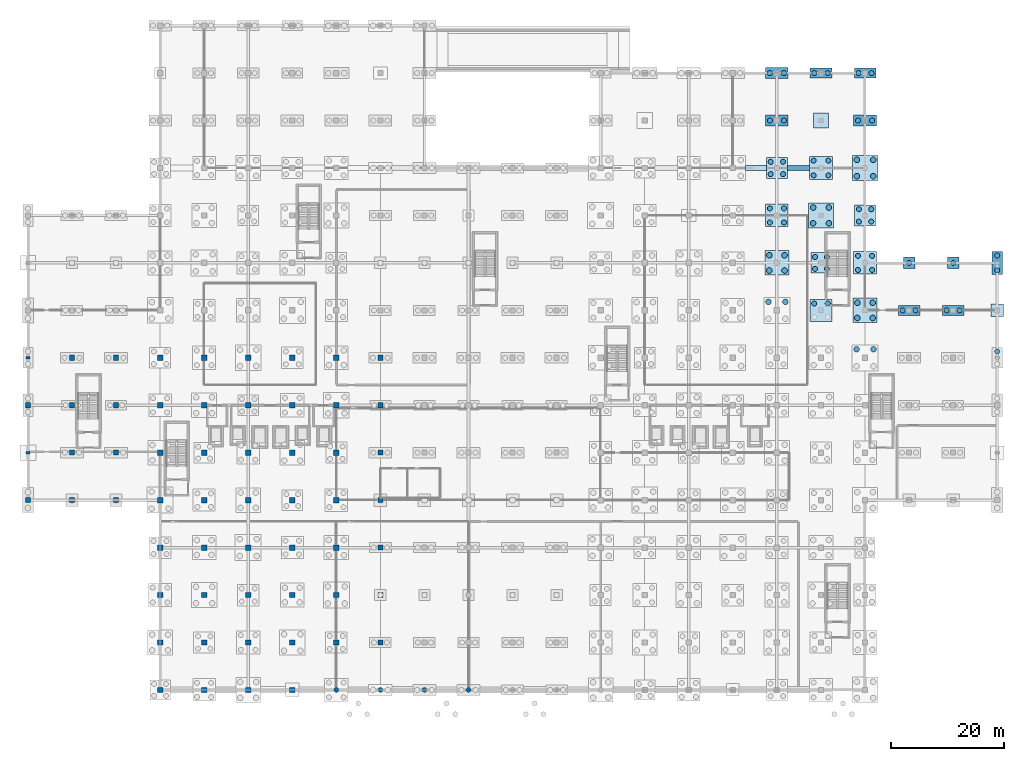
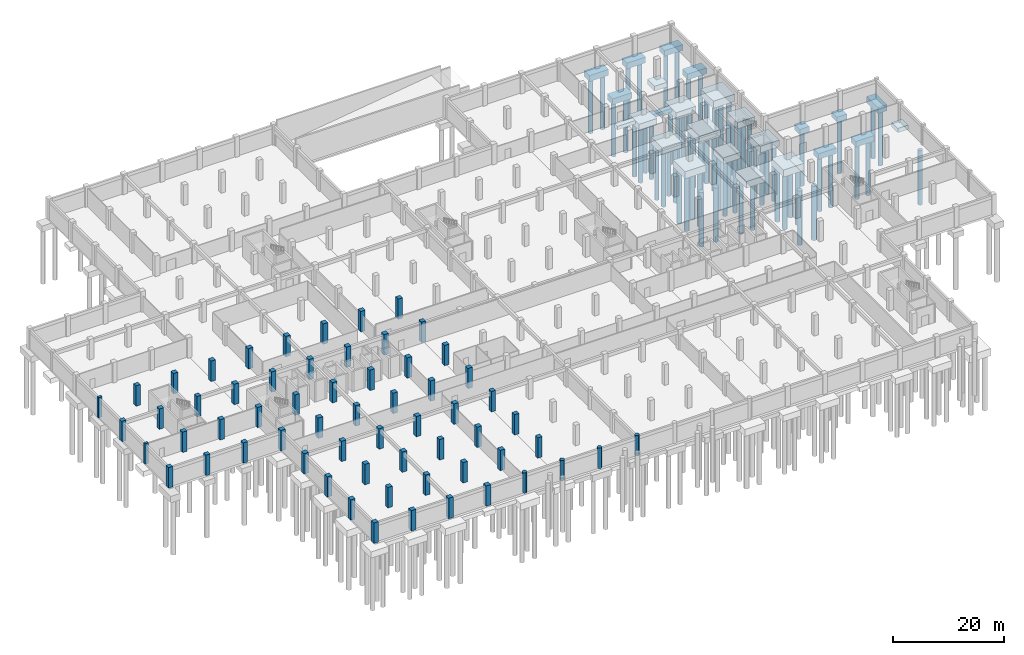
# One storey, part 8 of 30: 65 piles, 62 columns, 25 footings.
"""IFC4 building model written with IfcOpenShell, lengths in metres."""

from ifc_helpers import new_model, si_unit, direction, frame, origin, origin_2d, place, context, subcontext, project, spatial, rectangle, circle, extrude, material, layer, layer_set, material_profile, profile_set, type_object, element, save


model = new_model("IFC4")

# Units and contexts
model_context = context("Model", 3, precision=1e-05, world=origin(), true_north=direction((0.0, 1.0)))
body_context = subcontext(model_context, "Body", "Model", "MODEL_VIEW")
ifc_project = project(units=[si_unit("LENGTHUNIT", "METRE"), si_unit("AREAUNIT", "SQUARE_METRE"), si_unit("VOLUMEUNIT", "CUBIC_METRE"), si_unit("PLANEANGLEUNIT", "RADIAN"), si_unit("MASSUNIT", "GRAM", prefix="KILO"), si_unit("THERMODYNAMICTEMPERATUREUNIT", "KELVIN"), si_unit("POWERUNIT", "WATT")], contexts=[model_context])

# Site, building, storey
site_placement = place(None, origin())
site = spatial("IfcSite", under=ifc_project, at=site_placement, CompositionType="ELEMENT")
building_placement = place(site_placement, origin())
building = spatial("IfcBuilding", under=site, at=building_placement, Name="Srebrne Nadtorze General Hospital", CompositionType="ELEMENT")
storey_placement = place(building_placement, frame((0.0, 0.0, -4.5)))
storey = spatial("IfcBuildingStorey", under=building, at=storey_placement, Name="B1", CompositionType="ELEMENT", Elevation=-4.5)

# Piles
ifc_material_1 = material(Name="Concrete C35/45", Category="concrete")
ifc_material_profile_1 = material_profile(ifc_material_1, circle(Radius=0.5, at=origin_2d()), Name="PILE-D1000")
ifc_profile_set_1 = profile_set([ifc_material_profile_1], Name="Concrete C35/45")
pile_type_1 = type_object("IfcPileType", Name="Bored concrete pile D1000", PredefinedType="BORED", material=ifc_profile_set_1)
for number, where, z_axis, x_axis, name in (
    (1, (134.10009765625, 68.699951171875, -2.199951171875), (0.0, 0.0, -1.0), (1.0, 0.0, 0.0), "Bored pile PL-B1-0644"),
    (2, (131.10009765625, 68.699951171875, -2.199951171875), (0.0, 0.0, -1.0), (1.0, 0.0, 0.0), "Bored pile PL-B1-0645"),
    (3, (131.25, 74.25, -2.14990234375), (0.0, 0.0, -1.0), (1.0, 0.0, 0.0), "Bored pile PL-B1-0646"),
    (4, (133.949951171875, 74.25, -2.14990234375), (0.0, 0.0, -1.0), (1.0, 0.0, 0.0), "Bored pile PL-B1-0647"),
    (5, (133.949951171875, 76.949951171875, -2.14990234375), (0.0, 0.0, -1.0), (1.0, 0.0, 0.0), "Bored pile PL-B1-0648"),
    (6, (131.25, 76.949951171875, -2.14990234375), (0.0, 0.0, -1.0), (1.0, 0.0, 0.0), "Bored pile PL-B1-0649"),
    (7, (139.0, 82.60009765625, -2.14990234375), (0.0, 0.0, -1.0), (1.0, 0.0, 0.0), "Bored pile PL-B1-0702"),
    (8, (141.800048828125, 82.60009765625, -2.14990234375), (0.0, 0.0, -1.0), (1.0, 0.0, 0.0), "Bored pile PL-B1-0703"),
    (9, (141.800048828125, 85.39990234375, -2.14990234375), (0.0, 0.0, -1.0), (1.0, 0.0, 0.0), "Bored pile PL-B1-0704"),
    (10, (139.0, 85.39990234375, -2.14990234375), (0.0, 0.0, -1.0), (1.0, 0.0, 0.0), "Bored pile PL-B1-0705"),
    (11, (149.699951171875, 60.300048828125, -2.199951171875), (0.0, 0.0, -1.0), (1.0, 0.0, 0.0), "Bored pile PL-B1-0742"),
    (12, (146.699951171875, 60.300048828125, -2.199951171875), (0.0, 0.0, -1.0), (1.0, 0.0, 0.0), "Bored pile PL-B1-0743"),
    (13, (146.85009765625, 65.85009765625, -2.14990234375), (0.0, 0.0, -1.0), (1.0, 0.0, 0.0), "Bored pile PL-B1-0744"),
    (14, (149.550048828125, 65.85009765625, -2.14990234375), (0.0, 0.0, -1.0), (1.0, 0.0, 0.0), "Bored pile PL-B1-0745"),
    (15, (149.550048828125, 68.550048828125, -2.14990234375), (0.0, 0.0, -1.0), (1.0, 0.0, 0.0), "Bored pile PL-B1-0746"),
    (16, (146.85009765625, 68.550048828125, -2.14990234375), (0.0, 0.0, -1.0), (1.0, 0.0, 0.0), "Bored pile PL-B1-0747"),
    (17, (146.75, 90.949951171875, -2.199951171875), (0.0, 0.0, -1.0), (1.0, 0.0, 0.0), "Bored pile PL-B1-0756"),
    (18, (149.64990234375, 90.949951171875, -2.199951171875), (0.0, 0.0, -1.0), (1.0, 0.0, 0.0), "Bored pile PL-B1-0757"),
    (19, (149.64990234375, 93.85009765625, -2.199951171875), (0.0, 0.0, -1.0), (1.0, 0.0, 0.0), "Bored pile PL-B1-0758"),
    (20, (146.75, 93.85009765625, -2.199951171875), (0.0, 0.0, -1.0), (1.0, 0.0, 0.0), "Bored pile PL-B1-0759"),
):
    element("IfcPile", number, at=place(storey_placement, frame(where, z_axis=z_axis, x_axis=x_axis)), inside=storey, type_object=pile_type_1, Name=name, PredefinedType="BORED", context=body_context, shape_type="SweptSolid", body=[
        extrude(circle(Radius=0.5, at=origin_2d()), origin(), (0.0, 0.0, 1.0), 12.0),
    ])
ifc_material_2 = material(Name="Concrete C35/45", Category="concrete")
ifc_material_profile_2 = material_profile(ifc_material_2, circle(Radius=0.449951171875, at=origin_2d()), Name="PILE-D900")
ifc_profile_set_2 = profile_set([ifc_material_profile_2], Name="Concrete C35/45")
pile_type_2 = type_object("IfcPileType", Name="Bored concrete pile D900", PredefinedType="BORED", material=ifc_profile_set_2)
for number, where, z_axis, x_axis, name in (
    (21, (131.35009765625, 82.75, -2.050048828125), (0.0, 0.0, -1.0), (1.0, 0.0, 0.0), "Bored pile PL-B1-0650"),
    (22, (133.85009765625, 82.75, -2.050048828125), (0.0, 0.0, -1.0), (1.0, 0.0, 0.0), "Bored pile PL-B1-0651"),
    (23, (133.85009765625, 85.25, -2.050048828125), (0.0, 0.0, -1.0), (1.0, 0.0, 0.0), "Bored pile PL-B1-0652"),
    (24, (131.35009765625, 85.25, -2.050048828125), (0.0, 0.0, -1.0), (1.0, 0.0, 0.0), "Bored pile PL-B1-0653"),
    (25, (131.5, 91.300048828125, -2.0), (0.0, 0.0, -1.0), (1.0, 0.0, 0.0), "Bored pile PL-B1-0654"),
    (26, (133.699951171875, 91.300048828125, -2.0), (0.0, 0.0, -1.0), (1.0, 0.0, 0.0), "Bored pile PL-B1-0655"),
    (27, (133.699951171875, 93.5, -2.0), (0.0, 0.0, -1.0), (1.0, 0.0, 0.0), "Bored pile PL-B1-0656"),
    (28, (131.5, 93.5, -2.0), (0.0, 0.0, -1.0), (1.0, 0.0, 0.0), "Bored pile PL-B1-0657"),
    (29, (131.35009765625, 100.800048828125, -1.89990234375), (0.0, 0.0, -1.0), (1.0, 0.0, 0.0), "Bored pile PL-B1-0658"),
    (30, (133.85009765625, 100.800048828125, -1.89990234375), (0.0, 0.0, -1.0), (1.0, 0.0, 0.0), "Bored pile PL-B1-0659"),
    (31, (131.35009765625, 109.199951171875, -1.89990234375), (0.0, 0.0, -1.0), (1.0, 0.0, 0.0), "Bored pile PL-B1-0660"),
    (32, (133.85009765625, 109.199951171875, -1.89990234375), (0.0, 0.0, -1.0), (1.0, 0.0, 0.0), "Bored pile PL-B1-0661"),
    (33, (141.60009765625, 68.39990234375, -2.050048828125), (0.0, 0.0, -1.0), (1.0, 0.0, 0.0), "Bored pile PL-B1-0696"),
    (34, (139.199951171875, 68.39990234375, -2.050048828125), (0.0, 0.0, -1.0), (1.0, 0.0, 0.0), "Bored pile PL-B1-0697"),
    (35, (139.35009765625, 74.550048828125, -1.949951171875), (0.0, 0.0, -1.0), (1.0, 0.0, 0.0), "Bored pile PL-B1-0698"),
    (36, (141.449951171875, 74.550048828125, -1.949951171875), (0.0, 0.0, -1.0), (1.0, 0.0, 0.0), "Bored pile PL-B1-0699"),
    (37, (141.449951171875, 76.64990234375, -1.949951171875), (0.0, 0.0, -1.0), (1.0, 0.0, 0.0), "Bored pile PL-B1-0700"),
    (38, (139.35009765625, 76.64990234375, -1.949951171875), (0.0, 0.0, -1.0), (1.0, 0.0, 0.0), "Bored pile PL-B1-0701"),
    (39, (139.10009765625, 91.10009765625, -2.10009765625), (0.0, 0.0, -1.0), (1.0, 0.0, 0.0), "Bored pile PL-B1-0706"),
    (40, (141.699951171875, 91.10009765625, -2.10009765625), (0.0, 0.0, -1.0), (1.0, 0.0, 0.0), "Bored pile PL-B1-0707"),
    (41, (141.699951171875, 93.699951171875, -2.10009765625), (0.0, 0.0, -1.0), (1.0, 0.0, 0.0), "Bored pile PL-B1-0708"),
    (42, (139.10009765625, 93.699951171875, -2.10009765625), (0.0, 0.0, -1.0), (1.0, 0.0, 0.0), "Bored pile PL-B1-0709"),
    (43, (139.199951171875, 109.199951171875, -1.89990234375), (0.0, 0.0, -1.0), (1.0, 0.0, 0.0), "Bored pile PL-B1-0710"),
    (44, (141.60009765625, 109.199951171875, -1.89990234375), (0.0, 0.0, -1.0), (1.0, 0.0, 0.0), "Bored pile PL-B1-0711"),
    (45, (146.949951171875, 74.35009765625, -2.050048828125), (0.0, 0.0, -1.0), (1.0, 0.0, 0.0), "Bored pile PL-B1-0748"),
    (46, (149.449951171875, 74.35009765625, -2.050048828125), (0.0, 0.0, -1.0), (1.0, 0.0, 0.0), "Bored pile PL-B1-0749"),
    (47, (149.449951171875, 76.85009765625, -2.050048828125), (0.0, 0.0, -1.0), (1.0, 0.0, 0.0), "Bored pile PL-B1-0750"),
    (48, (146.949951171875, 76.85009765625, -2.050048828125), (0.0, 0.0, -1.0), (1.0, 0.0, 0.0), "Bored pile PL-B1-0751"),
    (49, (147.10009765625, 82.89990234375, -2.0), (0.0, 0.0, -1.0), (1.0, 0.0, 0.0), "Bored pile PL-B1-0752"),
    (50, (149.300048828125, 82.89990234375, -2.0), (0.0, 0.0, -1.0), (1.0, 0.0, 0.0), "Bored pile PL-B1-0753"),
    (51, (149.300048828125, 85.10009765625, -2.0), (0.0, 0.0, -1.0), (1.0, 0.0, 0.0), "Bored pile PL-B1-0754"),
    (52, (147.10009765625, 85.10009765625, -2.0), (0.0, 0.0, -1.0), (1.0, 0.0, 0.0), "Bored pile PL-B1-0755"),
    (53, (146.949951171875, 100.800048828125, -1.89990234375), (0.0, 0.0, -1.0), (1.0, 0.0, 0.0), "Bored pile PL-B1-0760"),
    (54, (149.449951171875, 100.800048828125, -1.89990234375), (0.0, 0.0, -1.0), (1.0, 0.0, 0.0), "Bored pile PL-B1-0761"),
    (55, (147.050048828125, 109.199951171875, -1.85009765625), (0.0, 0.0, -1.0), (1.0, 0.0, 0.0), "Bored pile PL-B1-0762"),
    (56, (149.35009765625, 109.199951171875, -1.85009765625), (0.0, 0.0, -1.0), (1.0, 0.0, 0.0), "Bored pile PL-B1-0763"),
    (57, (154.85009765625, 67.199951171875, -1.85009765625), (0.0, 0.0, -1.0), (1.0, 0.0, 0.0), "Bored pile PL-B1-0771"),
    (58, (157.14990234375, 67.199951171875, -1.85009765625), (0.0, 0.0, -1.0), (1.0, 0.0, 0.0), "Bored pile PL-B1-0772"),
    (59, (156.0, 75.60009765625, -1.75), (0.0, 0.0, -1.0), (1.0, 0.0, 0.0), "Bored pile PL-B1-0773"),
    (60, (162.64990234375, 67.199951171875, -1.85009765625), (0.0, 0.0, -1.0), (1.0, 0.0, 0.0), "Bored pile PL-B1-0781"),
    (61, (164.949951171875, 67.199951171875, -1.85009765625), (0.0, 0.0, -1.0), (1.0, 0.0, 0.0), "Bored pile PL-B1-0782"),
    (62, (163.800048828125, 75.60009765625, -1.75), (0.0, 0.0, -1.0), (1.0, 0.0, 0.0), "Bored pile PL-B1-0783"),
    (63, (171.60009765625, 59.89990234375, -1.85009765625), (0.0, 0.0, -1.0), (1.0, 0.0, 0.0), "Bored pile PL-B1-0789"),
    (64, (171.60009765625, 74.300048828125, -1.949951171875), (0.0, 0.0, -1.0), (1.0, 0.0, 0.0), "Bored pile PL-B1-0790"),
    (65, (171.60009765625, 76.89990234375, -1.949951171875), (0.0, 0.0, -1.0), (1.0, 0.0, 0.0), "Bored pile PL-B1-0791"),
):
    element("IfcPile", number, at=place(storey_placement, frame(where, z_axis=z_axis, x_axis=x_axis)), inside=storey, type_object=pile_type_2, Name=name, PredefinedType="BORED", context=body_context, shape_type="SweptSolid", body=[
        extrude(circle(Radius=0.449951171875, at=origin_2d()), origin(), (0.0, 0.0, 1.0), 12.0),
    ])

# Footings
ifc_material_3 = material(Name="Concrete C35/45", Category="concrete")
ifc_layer_1 = layer(ifc_material_3, 1.35009765625)
ifc_layer_set_1 = layer_set([ifc_layer_1], Name="Concrete C35/45")
footing_type_1 = type_object("IfcFootingType", Name="Bored pile cap 1900x4100x1350", PredefinedType="PILE_CAP", material=ifc_layer_set_1)
footing_1_placement = place(storey_placement, frame((171.60009765625, 75.60009765625, -1.949951171875), z_axis=(0.0, 0.0, 1.0), x_axis=(1.0, 0.0, 0.0)))
element("IfcFooting", 66, at=footing_1_placement, inside=storey, type_object=footing_type_1, Name="Pile cap FT-B1-23-K", PredefinedType="PILE_CAP", context=body_context, shape_type="SweptSolid", body=[
    extrude(rectangle(XDim=1.89990234375, YDim=4.10009765625, at=origin_2d()), origin(), (0.0, 0.0, 1.0), 1.35009765625),
])
ifc_material_4 = material(Name="Concrete C35/45", Category="concrete")
ifc_layer_2 = layer(ifc_material_4, 1.14990234375)
ifc_layer_set_2 = layer_set([ifc_layer_2], Name="Concrete C35/45")
footing_type_2 = type_object("IfcFootingType", Name="Bored pile cap 2000x2000x1150", PredefinedType="PILE_CAP", material=ifc_layer_set_2)
for number, where, z_axis, x_axis, name in (
    (67, (156.0, 75.60009765625, -1.75), (0.0, 0.0, 1.0), (1.0, 0.0, 0.0), "Pile cap FT-B1-21-K"),
    (68, (163.800048828125, 75.60009765625, -1.75), (0.0, 0.0, 1.0), (1.0, 0.0, 0.0), "Pile cap FT-B1-22-K"),
):
    element("IfcFooting", number, at=place(storey_placement, frame(where, z_axis=z_axis, x_axis=x_axis)), inside=storey, type_object=footing_type_2, Name=name, PredefinedType="PILE_CAP", context=body_context, shape_type="SweptSolid", body=[
        extrude(rectangle(XDim=2.0, YDim=2.0, at=origin_2d()), origin(), (0.0, 0.0, 1.0), 1.14990234375),
    ])
ifc_material_5 = material(Name="Concrete C35/45", Category="concrete")
ifc_layer_3 = layer(ifc_material_5, 1.35009765625)
ifc_layer_set_3 = layer_set([ifc_layer_3], Name="Concrete C35/45")
footing_type_3 = type_object("IfcFootingType", Name="Bored pile cap 3600x3600x1350", PredefinedType="PILE_CAP", material=ifc_layer_set_3)
footing_2_placement = place(storey_placement, frame((140.39990234375, 75.60009765625, -1.949951171875), z_axis=(0.0, 0.0, 1.0), x_axis=(1.0, 0.0, 0.0)))
element("IfcFooting", 69, at=footing_2_placement, inside=storey, type_object=footing_type_3, Name="Pile cap FT-B1-19-K", PredefinedType="PILE_CAP", context=body_context, shape_type="SweptSolid", body=[
    extrude(rectangle(XDim=3.60009765625, YDim=3.60009765625, at=origin_2d()), origin(), (0.0, 0.0, 1.0), 1.35009765625),
])
ifc_material_6 = material(Name="Concrete C35/45", Category="concrete")
ifc_layer_4 = layer(ifc_material_6, 1.39990234375)
ifc_layer_set_4 = layer_set([ifc_layer_4], Name="Concrete C35/45")
footing_type_4 = type_object("IfcFootingType", Name="Bored pile cap 3700x3700x1400", PredefinedType="PILE_CAP", material=ifc_layer_set_4)
for number, where, z_axis, x_axis, name in (
    (70, (132.60009765625, 92.39990234375, -2.0), (0.0, 0.0, 1.0), (1.0, 0.0, 0.0), "Pile cap FT-B1-18-M"),
    (71, (148.199951171875, 84.0, -2.0), (0.0, 0.0, 1.0), (1.0, 0.0, 0.0), "Pile cap FT-B1-20-L"),
):
    element("IfcFooting", number, at=place(storey_placement, frame(where, z_axis=z_axis, x_axis=x_axis)), inside=storey, type_object=footing_type_4, Name=name, PredefinedType="PILE_CAP", context=body_context, shape_type="SweptSolid", body=[
        extrude(rectangle(XDim=3.699951171875, YDim=3.699951171875, at=origin_2d()), origin(), (0.0, 0.0, 1.0), 1.39990234375),
    ])
ifc_material_7 = material(Name="Concrete C35/45", Category="concrete")
ifc_layer_5 = layer(ifc_material_7, 1.25)
ifc_layer_set_5 = layer_set([ifc_layer_5], Name="Concrete C35/45")
footing_type_5 = type_object("IfcFootingType", Name="Bored pile cap 3800x1800x1250", PredefinedType="PILE_CAP", material=ifc_layer_set_5)
for number, where, z_axis, x_axis, name in (
    (72, (148.199951171875, 109.199951171875, -1.85009765625), (0.0, 0.0, 1.0), (1.0, 0.0, 0.0), "Pile cap FT-B1-20-P"),
    (73, (156.0, 67.199951171875, -1.85009765625), (0.0, 0.0, 1.0), (1.0, 0.0, 0.0), "Pile cap FT-B1-21-J"),
    (74, (163.800048828125, 67.199951171875, -1.85009765625), (0.0, 0.0, 1.0), (1.0, 0.0, 0.0), "Pile cap FT-B1-22-J"),
):
    element("IfcFooting", number, at=place(storey_placement, frame(where, z_axis=z_axis, x_axis=x_axis)), inside=storey, type_object=footing_type_5, Name=name, PredefinedType="PILE_CAP", context=body_context, shape_type="SweptSolid", body=[
        extrude(rectangle(XDim=3.800048828125, YDim=1.800048828125, at=origin_2d()), origin(), (0.0, 0.0, 1.0), 1.25),
    ])
ifc_material_8 = material(Name="Concrete C35/45", Category="concrete")
ifc_layer_6 = layer(ifc_material_8, 1.300048828125)
ifc_layer_set_6 = layer_set([ifc_layer_6], Name="Concrete C35/45")
footing_type_6 = type_object("IfcFootingType", Name="Bored pile cap 3900x1800x1300", PredefinedType="PILE_CAP", material=ifc_layer_set_6)
footing_3_placement = place(storey_placement, frame((140.39990234375, 109.199951171875, -1.89990234375), z_axis=(0.0, 0.0, 1.0), x_axis=(1.0, 0.0, 0.0)))
element("IfcFooting", 75, at=footing_3_placement, inside=storey, type_object=footing_type_6, Name="Pile cap FT-B1-19-P", PredefinedType="PILE_CAP", context=body_context, shape_type="SweptSolid", body=[
    extrude(rectangle(XDim=3.89990234375, YDim=1.800048828125, at=origin_2d()), origin(), (0.0, 0.0, 1.0), 1.300048828125),
])
ifc_material_9 = material(Name="Concrete C35/45", Category="concrete")
ifc_layer_7 = layer(ifc_material_9, 1.449951171875)
ifc_layer_set_7 = layer_set([ifc_layer_7], Name="Concrete C35/45")
footing_type_7 = type_object("IfcFootingType", Name="Bored pile cap 3900x3900x1450", PredefinedType="PILE_CAP", material=ifc_layer_set_7)
footing_4_placement = place(storey_placement, frame((140.39990234375, 67.199951171875, -2.0498046875), z_axis=(0.0, 0.0, 1.0), x_axis=(1.0, 0.0, 0.0)))
element("IfcFooting", 76, at=footing_4_placement, inside=storey, type_object=footing_type_7, Name="Pile cap FT-B1-19-J", PredefinedType="PILE_CAP", context=body_context, shape_type="SweptSolid", body=[
    extrude(rectangle(XDim=3.89990234375, YDim=3.89990234375, at=origin_2d()), origin(), (0.0, 0.0, 1.0), 1.449951171875),
])
ifc_material_10 = material(Name="Concrete C35/45", Category="concrete")
ifc_layer_8 = layer(ifc_material_10, 1.300048828125)
ifc_layer_set_8 = layer_set([ifc_layer_8], Name="Concrete C35/45")
footing_type_8 = type_object("IfcFootingType", Name="Bored pile cap 4000x1900x1300", PredefinedType="PILE_CAP", material=ifc_layer_set_8)
for number, where, z_axis, x_axis, name in (
    (77, (132.60009765625, 100.800048828125, -1.89990234375), (0.0, 0.0, 1.0), (1.0, 0.0, 0.0), "Pile cap FT-B1-18-N"),
    (78, (132.60009765625, 109.199951171875, -1.89990234375), (0.0, 0.0, 1.0), (1.0, 0.0, 0.0), "Pile cap FT-B1-18-P"),
    (79, (148.199951171875, 100.800048828125, -1.89990234375), (0.0, 0.0, 1.0), (1.0, 0.0, 0.0), "Pile cap FT-B1-20-N"),
):
    element("IfcFooting", number, at=place(storey_placement, frame(where, z_axis=z_axis, x_axis=x_axis)), inside=storey, type_object=footing_type_8, Name=name, PredefinedType="PILE_CAP", context=body_context, shape_type="SweptSolid", body=[
        extrude(rectangle(XDim=4.0, YDim=1.89990234375, at=origin_2d()), origin(), (0.0, 0.0, 1.0), 1.300048828125),
    ])
ifc_material_11 = material(Name="Concrete C35/45", Category="concrete")
ifc_layer_9 = layer(ifc_material_11, 1.449951171875)
ifc_layer_set_9 = layer_set([ifc_layer_9], Name="Concrete C35/45")
footing_type_9 = type_object("IfcFootingType", Name="Bored pile cap 4000x4000x1450", PredefinedType="PILE_CAP", material=ifc_layer_set_9)
for number, where, z_axis, x_axis, name in (
    (80, (132.60009765625, 84.0, -2.0498046875), (0.0, 0.0, 1.0), (1.0, 0.0, 0.0), "Pile cap FT-B1-18-L"),
    (81, (148.199951171875, 75.60009765625, -2.0498046875), (0.0, 0.0, 1.0), (1.0, 0.0, 0.0), "Pile cap FT-B1-20-K"),
):
    element("IfcFooting", number, at=place(storey_placement, frame(where, z_axis=z_axis, x_axis=x_axis)), inside=storey, type_object=footing_type_9, Name=name, PredefinedType="PILE_CAP", context=body_context, shape_type="SweptSolid", body=[
        extrude(rectangle(XDim=4.0, YDim=4.0, at=origin_2d()), origin(), (0.0, 0.0, 1.0), 1.449951171875),
    ])
ifc_material_12 = material(Name="Concrete C35/45", Category="concrete")
ifc_layer_10 = layer(ifc_material_12, 1.5)
ifc_layer_set_10 = layer_set([ifc_layer_10], Name="Concrete C35/45")
footing_type_10 = type_object("IfcFootingType", Name="Bored pile cap 4100x4100x1500", PredefinedType="PILE_CAP", material=ifc_layer_set_10)
footing_5_placement = place(storey_placement, frame((140.39990234375, 92.39990234375, -2.10009765625), z_axis=(0.0, 0.0, 1.0), x_axis=(1.0, 0.0, 0.0)))
element("IfcFooting", 82, at=footing_5_placement, inside=storey, type_object=footing_type_10, Name="Pile cap FT-B1-19-M", PredefinedType="PILE_CAP", context=body_context, shape_type="SweptSolid", body=[
    extrude(rectangle(XDim=4.10009765625, YDim=4.10009765625, at=origin_2d()), origin(), (0.0, 0.0, 1.0), 1.5),
])
ifc_material_13 = material(Name="Concrete C35/45", Category="concrete")
ifc_layer_11 = layer(ifc_material_13, 1.550048828125)
ifc_layer_set_11 = layer_set([ifc_layer_11], Name="Concrete C35/45")
footing_type_11 = type_object("IfcFootingType", Name="Bored pile cap 4300x4300x1550", PredefinedType="PILE_CAP", material=ifc_layer_set_11)
for number, where, z_axis, x_axis, name in (
    (83, (132.60009765625, 75.60009765625, -2.14990234375), (0.0, 0.0, 1.0), (1.0, 0.0, 0.0), "Pile cap FT-B1-18-K"),
    (84, (148.199951171875, 67.199951171875, -2.14990234375), (0.0, 0.0, 1.0), (1.0, 0.0, 0.0), "Pile cap FT-B1-20-J"),
):
    element("IfcFooting", number, at=place(storey_placement, frame(where, z_axis=z_axis, x_axis=x_axis)), inside=storey, type_object=footing_type_11, Name=name, PredefinedType="PILE_CAP", context=body_context, shape_type="SweptSolid", body=[
        extrude(rectangle(XDim=4.300048828125, YDim=4.300048828125, at=origin_2d()), origin(), (0.0, 0.0, 1.0), 1.550048828125),
    ])
ifc_material_14 = material(Name="Concrete C35/45", Category="concrete")
ifc_layer_12 = layer(ifc_material_14, 1.550048828125)
ifc_layer_set_12 = layer_set([ifc_layer_12], Name="Concrete C35/45")
footing_type_12 = type_object("IfcFootingType", Name="Bored pile cap 4400x4400x1550", PredefinedType="PILE_CAP", material=ifc_layer_set_12)
footing_6_placement = place(storey_placement, frame((140.39990234375, 84.0, -2.14990234375), z_axis=(0.0, 0.0, 1.0), x_axis=(1.0, 0.0, 0.0)))
element("IfcFooting", 85, at=footing_6_placement, inside=storey, type_object=footing_type_12, Name="Pile cap FT-B1-19-L", PredefinedType="PILE_CAP", context=body_context, shape_type="SweptSolid", body=[
    extrude(rectangle(XDim=4.39990234375, YDim=4.39990234375, at=origin_2d()), origin(), (0.0, 0.0, 1.0), 1.550048828125),
])
ifc_material_15 = material(Name="Concrete C35/45", Category="concrete")
ifc_layer_13 = layer(ifc_material_15, 1.60009765625)
ifc_layer_set_13 = layer_set([ifc_layer_13], Name="Concrete C35/45")
footing_type_13 = type_object("IfcFootingType", Name="Bored pile cap 4500x4500x1600", PredefinedType="PILE_CAP", material=ifc_layer_set_13)
footing_7_placement = place(storey_placement, frame((148.199951171875, 92.39990234375, -2.199951171875), z_axis=(0.0, 0.0, 1.0), x_axis=(1.0, 0.0, 0.0)))
element("IfcFooting", 86, at=footing_7_placement, inside=storey, type_object=footing_type_13, Name="Pile cap FT-B1-20-M", PredefinedType="PILE_CAP", context=body_context, shape_type="SweptSolid", body=[
    extrude(rectangle(XDim=4.5, YDim=4.5, at=origin_2d()), origin(), (0.0, 0.0, 1.0), 1.60009765625),
])
ifc_material_16 = material(Name="Concrete C35/45", Category="concrete")
ifc_layer_14 = layer(ifc_material_16, 0.949951171875)
ifc_layer_set_14 = layer_set([ifc_layer_14], Name="Concrete C35/45")
footing_type_14 = type_object("IfcFootingType", Name="Isolated pad footing 2200x2200x950", PredefinedType="PAD_FOOTING", material=ifc_layer_set_14)
footing_8_placement = place(storey_placement, frame((171.60009765625, 67.199951171875, -1.5498046875), z_axis=(0.0, 0.0, 1.0), x_axis=(1.0, 0.0, 0.0)))
element("IfcFooting", 87, at=footing_8_placement, inside=storey, type_object=footing_type_14, Name="Pad footing FT-B1-23-J", PredefinedType="PAD_FOOTING", context=body_context, shape_type="SweptSolid", body=[
    extrude(rectangle(XDim=2.199951171875, YDim=2.199951171875, at=origin_2d()), origin(), (0.0, 0.0, 1.0), 0.949951171875),
])
ifc_material_17 = material(Name="Concrete C35/45", Category="concrete")
ifc_layer_15 = layer(ifc_material_17, 1.050048828125)
ifc_layer_set_15 = layer_set([ifc_layer_15], Name="Concrete C35/45")
footing_type_15 = type_object("IfcFootingType", Name="Isolated pad footing 2600x2600x1050", PredefinedType="PAD_FOOTING", material=ifc_layer_set_15)
footing_9_placement = place(storey_placement, frame((140.39990234375, 100.800048828125, -1.64990234375), z_axis=(0.0, 0.0, 1.0), x_axis=(1.0, 0.0, 0.0)))
element("IfcFooting", 88, at=footing_9_placement, inside=storey, type_object=footing_type_15, Name="Pad footing FT-B1-19-N", PredefinedType="PAD_FOOTING", context=body_context, shape_type="SweptSolid", body=[
    extrude(rectangle(XDim=2.60009765625, YDim=2.60009765625, at=origin_2d()), origin(), (0.0, 0.0, 1.0), 1.050048828125),
])
ifc_material_18 = material(Name="Concrete C35/45", Category="concrete")
ifc_layer_16 = layer(ifc_material_18, 0.75)
ifc_layer_set_16 = layer_set([ifc_layer_16], Name="Concrete C35/45")
footing_type_16 = type_object("IfcFootingType", Name="Wall strip footing 900x750", PredefinedType="STRIP_FOOTING", material=ifc_layer_set_16)
footing_10_placement = place(storey_placement, frame((136.39990234375, 92.39990234375, -1.35009765625), z_axis=(0.0, 0.0, 1.0), x_axis=(1.0, 0.0, 0.0)))
element("IfcFooting", 89, at=footing_10_placement, inside=storey, type_object=footing_type_16, Name="Wall strip footing SF-B1-30", PredefinedType="STRIP_FOOTING", context=body_context, shape_type="SweptSolid", body=[
    extrude(rectangle(XDim=3.89990234375, YDim=0.89990234375, at=origin_2d()), origin(), (0.0, 0.0, 1.0), 0.75),
])
ifc_material_19 = material(Name="Concrete C35/45", Category="concrete")
ifc_layer_17 = layer(ifc_material_19, 0.75)
ifc_layer_set_17 = layer_set([ifc_layer_17], Name="Concrete C35/45")
footing_type_17 = type_object("IfcFootingType", Name="Wall strip footing 950x750", PredefinedType="STRIP_FOOTING", material=ifc_layer_set_17)
footing_11_placement = place(storey_placement, frame((128.875, 92.39990234375, -1.35009765625), z_axis=(0.0, 0.0, 1.0), x_axis=(1.0, 0.0, 0.0)))
element("IfcFooting", 90, at=footing_11_placement, inside=storey, type_object=footing_type_17, Name="Wall strip footing SF-B1-28", PredefinedType="STRIP_FOOTING", context=body_context, shape_type="SweptSolid", body=[
    extrude(rectangle(XDim=3.75, YDim=0.949951171875, at=origin_2d()), origin(), (0.0, 0.0, 1.0), 0.75),
])

# Columns
ifc_material_20 = material(Name="Concrete C40/50", Category="concrete")
ifc_material_profile_3 = material_profile(ifc_material_20, rectangle(XDim=0.5, YDim=0.75, at=origin_2d()), Name="RC-PIL-500x750")
ifc_profile_set_3 = profile_set([ifc_material_profile_3], Name="Concrete C40/50")
column_type_1 = type_object("IfcColumnType", Name="Pilaster column 500x750", PredefinedType="PILASTER", material=ifc_profile_set_3)
for number, where, z_axis, x_axis, name in (
    (91, (0.0, 42.0, 0.0), (0.0, 0.0, 1.0), (0.0, 1.0, 0.0), "Column CL-B1-1-F"),
    (92, (0.0, 58.800048828125, 0.0), (0.0, 0.0, 1.0), (0.0, 1.0, 0.0), "Column CL-B1-1-H"),
):
    element("IfcColumn", number, at=place(storey_placement, frame(where, z_axis=z_axis, x_axis=x_axis)), inside=storey, type_object=column_type_1, Name=name, PredefinedType="PILASTER", context=body_context, shape_type="SweptSolid", body=[
        extrude(rectangle(XDim=0.5, YDim=0.75, at=origin_2d()), origin(), (0.0, 0.0, 1.0), 4.5),
    ])
ifc_material_21 = material(Name="Concrete C40/50", Category="concrete")
ifc_material_profile_4 = material_profile(ifc_material_21, rectangle(XDim=0.89990234375, YDim=0.89990234375, at=origin_2d()), Name="RC-COL-900x900")
ifc_profile_set_4 = profile_set([ifc_material_profile_4], Name="Concrete C40/50")
column_type_2 = type_object("IfcColumnType", Name="Reinforced concrete column 900x900", PredefinedType="COLUMN", material=ifc_profile_set_4)
for number, where, z_axis, x_axis, name in (
    (93, (0.0, 33.60009765625, 0.0), (0.0, 0.0, 1.0), (1.0, 0.0, 0.0), "Column CL-B1-1-E"),
    (94, (0.0, 50.39990234375, 0.0), (0.0, 0.0, 1.0), (1.0, 0.0, 0.0), "Column CL-B1-1-G"),
    (95, (7.800048828125, 33.60009765625, 0.0), (0.0, 0.0, 1.0), (1.0, 0.0, 0.0), "Column CL-B1-2-E"),
    (96, (7.800048828125, 42.0, 0.0), (0.0, 0.0, 1.0), (1.0, 0.0, 0.0), "Column CL-B1-2-F"),
    (97, (7.800048828125, 50.39990234375, 0.0), (0.0, 0.0, 1.0), (1.0, 0.0, 0.0), "Column CL-B1-2-G"),
    (98, (7.800048828125, 58.800048828125, 0.0), (0.0, 0.0, 1.0), (1.0, 0.0, 0.0), "Column CL-B1-2-H"),
    (99, (15.60009765625, 33.60009765625, 0.0), (0.0, 0.0, 1.0), (1.0, 0.0, 0.0), "Column CL-B1-3-E"),
    (100, (15.60009765625, 42.0, 0.0), (0.0, 0.0, 1.0), (1.0, 0.0, 0.0), "Column CL-B1-3-F"),
    (101, (15.60009765625, 50.39990234375, 0.0), (0.0, 0.0, 1.0), (1.0, 0.0, 0.0), "Column CL-B1-3-G"),
    (102, (15.60009765625, 58.800048828125, 0.0), (0.0, 0.0, 1.0), (1.0, 0.0, 0.0), "Column CL-B1-3-H"),
    (103, (62.39990234375, 8.39990234375, 0.0), (0.0, 0.0, 1.0), (1.0, 0.0, 0.0), "Column CL-B1-9-B"),
    (104, (62.39990234375, 16.800048828125, 0.0), (0.0, 0.0, 1.0), (1.0, 0.0, 0.0), "Column CL-B1-9-C"),
    (105, (62.39990234375, 25.199951171875, 0.0), (0.0, 0.0, 1.0), (1.0, 0.0, 0.0), "Column CL-B1-9-D"),
    (106, (62.39990234375, 33.60009765625, 0.0), (0.0, 0.0, 1.0), (1.0, 0.0, 0.0), "Column CL-B1-9-E"),
    (107, (62.39990234375, 42.0, 0.0), (0.0, 0.0, 1.0), (1.0, 0.0, 0.0), "Column CL-B1-9-F"),
    (108, (62.39990234375, 50.39990234375, 0.0), (0.0, 0.0, 1.0), (1.0, 0.0, 0.0), "Column CL-B1-9-G"),
    (109, (62.39990234375, 58.800048828125, 0.0), (0.0, 0.0, 1.0), (1.0, 0.0, 0.0), "Column CL-B1-9-H"),
):
    element("IfcColumn", number, at=place(storey_placement, frame(where, z_axis=z_axis, x_axis=x_axis)), inside=storey, type_object=column_type_2, Name=name, PredefinedType="COLUMN", context=body_context, shape_type="SweptSolid", body=[
        extrude(rectangle(XDim=0.89990234375, YDim=0.89990234375, at=origin_2d()), origin(), (0.0, 0.0, 1.0), 4.5),
    ])
ifc_material_22 = material(Name="Concrete C40/50", Category="concrete")
ifc_material_profile_5 = material_profile(ifc_material_22, rectangle(XDim=0.949951171875, YDim=0.949951171875, at=origin_2d()), Name="RC-COL-950x950")
ifc_profile_set_5 = profile_set([ifc_material_profile_5], Name="Concrete C40/50")
column_type_3 = type_object("IfcColumnType", Name="Reinforced concrete column 950x950", PredefinedType="COLUMN", material=ifc_profile_set_5)
for number, where, z_axis, x_axis, name in (
    (110, (23.39990234375, 0.0, 0.0), (0.0, 0.0, 1.0), (1.0, 0.0, 0.0), "Column CL-B1-4-A"),
    (111, (23.39990234375, 8.39990234375, 0.0), (0.0, 0.0, 1.0), (1.0, 0.0, 0.0), "Column CL-B1-4-B"),
    (112, (23.39990234375, 16.800048828125, 0.0), (0.0, 0.0, 1.0), (1.0, 0.0, 0.0), "Column CL-B1-4-C"),
    (113, (23.39990234375, 25.199951171875, 0.0), (0.0, 0.0, 1.0), (1.0, 0.0, 0.0), "Column CL-B1-4-D"),
    (114, (23.39990234375, 33.60009765625, 0.0), (0.0, 0.0, 1.0), (1.0, 0.0, 0.0), "Column CL-B1-4-E"),
    (115, (23.39990234375, 42.0, 0.0), (0.0, 0.0, 1.0), (1.0, 0.0, 0.0), "Column CL-B1-4-F"),
    (116, (23.39990234375, 50.39990234375, 0.0), (0.0, 0.0, 1.0), (1.0, 0.0, 0.0), "Column CL-B1-4-G"),
    (117, (23.39990234375, 58.800048828125, 0.0), (0.0, 0.0, 1.0), (1.0, 0.0, 0.0), "Column CL-B1-4-H"),
    (118, (31.199951171875, 0.0, 0.0), (0.0, 0.0, 1.0), (1.0, 0.0, 0.0), "Column CL-B1-5-A"),
    (119, (31.199951171875, 8.39990234375, 0.0), (0.0, 0.0, 1.0), (1.0, 0.0, 0.0), "Column CL-B1-5-B"),
    (120, (31.199951171875, 16.800048828125, 0.0), (0.0, 0.0, 1.0), (1.0, 0.0, 0.0), "Column CL-B1-5-C"),
    (121, (31.199951171875, 25.199951171875, 0.0), (0.0, 0.0, 1.0), (1.0, 0.0, 0.0), "Column CL-B1-5-D"),
    (122, (31.199951171875, 33.60009765625, 0.0), (0.0, 0.0, 1.0), (1.0, 0.0, 0.0), "Column CL-B1-5-E"),
    (123, (31.199951171875, 42.0, 0.0), (0.0, 0.0, 1.0), (1.0, 0.0, 0.0), "Column CL-B1-5-F"),
    (124, (31.199951171875, 50.39990234375, 0.0), (0.0, 0.0, 1.0), (1.0, 0.0, 0.0), "Column CL-B1-5-G"),
    (125, (31.199951171875, 58.800048828125, 0.0), (0.0, 0.0, 1.0), (1.0, 0.0, 0.0), "Column CL-B1-5-H"),
    (126, (39.0, 0.0, 0.0), (0.0, 0.0, 1.0), (1.0, 0.0, 0.0), "Column CL-B1-6-A"),
    (127, (39.0, 8.39990234375, 0.0), (0.0, 0.0, 1.0), (1.0, 0.0, 0.0), "Column CL-B1-6-B"),
    (128, (39.0, 16.800048828125, 0.0), (0.0, 0.0, 1.0), (1.0, 0.0, 0.0), "Column CL-B1-6-C"),
    (129, (39.0, 25.199951171875, 0.0), (0.0, 0.0, 1.0), (1.0, 0.0, 0.0), "Column CL-B1-6-D"),
    (130, (39.0, 33.60009765625, 0.0), (0.0, 0.0, 1.0), (1.0, 0.0, 0.0), "Column CL-B1-6-E"),
    (131, (39.0, 42.0, 0.0), (0.0, 0.0, 1.0), (1.0, 0.0, 0.0), "Column CL-B1-6-F"),
    (132, (39.0, 50.39990234375, 0.0), (0.0, 0.0, 1.0), (1.0, 0.0, 0.0), "Column CL-B1-6-G"),
    (133, (39.0, 58.800048828125, 0.0), (0.0, 0.0, 1.0), (1.0, 0.0, 0.0), "Column CL-B1-6-H"),
    (134, (46.800048828125, 0.0, 0.0), (0.0, 0.0, 1.0), (1.0, 0.0, 0.0), "Column CL-B1-7-A"),
    (135, (46.800048828125, 8.39990234375, 0.0), (0.0, 0.0, 1.0), (1.0, 0.0, 0.0), "Column CL-B1-7-B"),
    (136, (46.800048828125, 16.800048828125, 0.0), (0.0, 0.0, 1.0), (1.0, 0.0, 0.0), "Column CL-B1-7-C"),
    (137, (46.800048828125, 25.199951171875, 0.0), (0.0, 0.0, 1.0), (1.0, 0.0, 0.0), "Column CL-B1-7-D"),
    (138, (46.800048828125, 33.60009765625, 0.0), (0.0, 0.0, 1.0), (1.0, 0.0, 0.0), "Column CL-B1-7-E"),
    (139, (46.800048828125, 42.0, 0.0), (0.0, 0.0, 1.0), (1.0, 0.0, 0.0), "Column CL-B1-7-F"),
    (140, (46.800048828125, 50.39990234375, 0.0), (0.0, 0.0, 1.0), (1.0, 0.0, 0.0), "Column CL-B1-7-G"),
    (141, (46.800048828125, 58.800048828125, 0.0), (0.0, 0.0, 1.0), (1.0, 0.0, 0.0), "Column CL-B1-7-H"),
    (142, (54.60009765625, 8.39990234375, 0.0), (0.0, 0.0, 1.0), (1.0, 0.0, 0.0), "Column CL-B1-8-B"),
    (143, (54.60009765625, 16.800048828125, 0.0), (0.0, 0.0, 1.0), (1.0, 0.0, 0.0), "Column CL-B1-8-C"),
    (144, (54.60009765625, 25.199951171875, 0.0), (0.0, 0.0, 1.0), (1.0, 0.0, 0.0), "Column CL-B1-8-D"),
    (145, (54.60009765625, 33.60009765625, 0.0), (0.0, 0.0, 1.0), (1.0, 0.0, 0.0), "Column CL-B1-8-E"),
    (146, (54.60009765625, 42.0, 0.0), (0.0, 0.0, 1.0), (1.0, 0.0, 0.0), "Column CL-B1-8-F"),
    (147, (54.60009765625, 50.39990234375, 0.0), (0.0, 0.0, 1.0), (1.0, 0.0, 0.0), "Column CL-B1-8-G"),
    (148, (54.60009765625, 58.800048828125, 0.0), (0.0, 0.0, 1.0), (1.0, 0.0, 0.0), "Column CL-B1-8-H"),
):
    element("IfcColumn", number, at=place(storey_placement, frame(where, z_axis=z_axis, x_axis=x_axis)), inside=storey, type_object=column_type_3, Name=name, PredefinedType="COLUMN", context=body_context, shape_type="SweptSolid", body=[
        extrude(rectangle(XDim=0.949951171875, YDim=0.949951171875, at=origin_2d()), origin(), (0.0, 0.0, 1.0), 4.5),
    ])
ifc_material_23 = material(Name="Concrete C40/50", Category="concrete")
ifc_material_profile_6 = material_profile(ifc_material_23, circle(Radius=0.425048828125, at=origin_2d()), Name="RC-COL-D850")
ifc_profile_set_6 = profile_set([ifc_material_profile_6], Name="Concrete C40/50")
column_type_4 = type_object("IfcColumnType", Name="Reinforced concrete column D850", PredefinedType="COLUMN", material=ifc_profile_set_6)
for number, where, z_axis, x_axis, name in (
    (149, (54.60009765625, 0.0, 0.0), (0.0, 0.0, 1.0), (1.0, 0.0, 0.0), "Column CL-B1-8-A"),
    (150, (62.39990234375, 0.0, 0.0), (0.0, 0.0, 1.0), (1.0, 0.0, 0.0), "Column CL-B1-9-A"),
    (151, (70.199951171875, 0.0, 0.0), (0.0, 0.0, 1.0), (1.0, 0.0, 0.0), "Column CL-B1-10-A"),
    (152, (78.0, 0.0, 0.0), (0.0, 0.0, 1.0), (1.0, 0.0, 0.0), "Column CL-B1-11-A"),
):
    element("IfcColumn", number, at=place(storey_placement, frame(where, z_axis=z_axis, x_axis=x_axis)), inside=storey, type_object=column_type_4, Name=name, PredefinedType="COLUMN", context=body_context, shape_type="SweptSolid", body=[
        extrude(circle(Radius=0.425048828125, at=origin_2d()), origin(), (0.0, 0.0, 1.0), 4.5),
    ])

save(model, "model.ifc")
